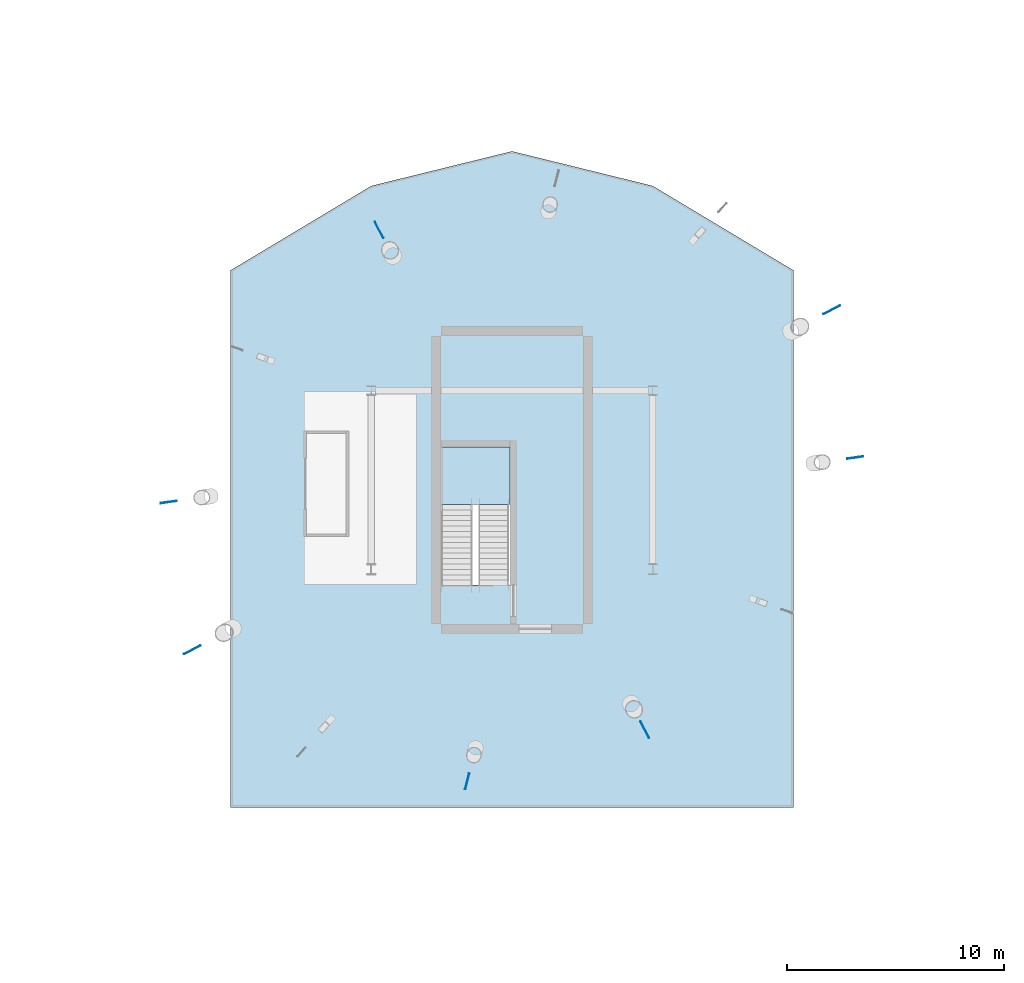
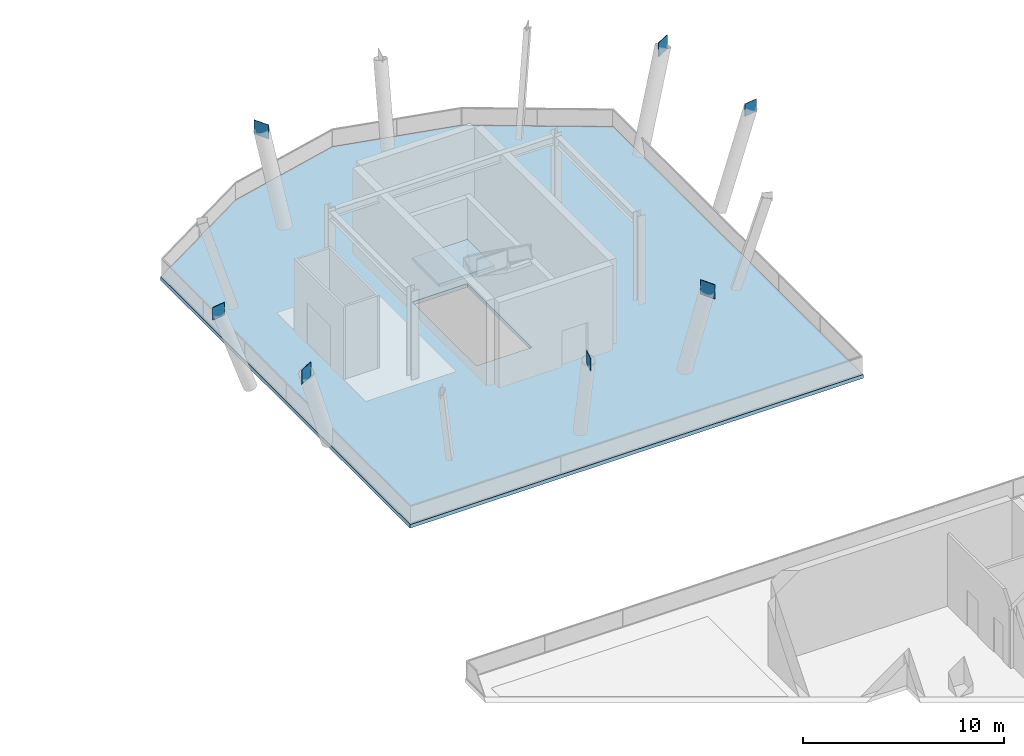
# One storey, part 80 of 117: 7 plates, 2 slabs, 1 element without a shape of its own.
"""IFC4 building model written with IfcOpenShell, lengths in metres."""

import ifcopenshell
import ifcopenshell.guid

model = None  # the IFC model being written
_history = None  # IfcOwnerHistory: only IFC2X3 demands one
_inside = {}  # id of a spatial element -> (the spatial element, [elements in it])
_under = {}  # id of a project, library or spatial element -> (it, [spatial elements below it])
_declared = {}  # id of a project -> (the project, [libraries it declares])
_typed = {}  # id of a type object -> (the type object, [elements of that type])
_made_of = {}  # id of a material, layer set ... -> (it, [elements and type objects made of it])


def new_model(schema):
    """Start an empty IFC model of exactly this schema.

    Asked for "IFC4X3", IfcOpenShell would pick the latest addendum, in which some entities
    have other attributes; the version numbers below select the first issue.
    IFC2X3 requires an IfcOwnerHistory on every rooted entity: one is made here for all.
    """
    global model, _history
    if schema == "IFC4X3":
        model = ifcopenshell.file(schema_version=(4, 3, 0, 0))
    else:
        model = ifcopenshell.file(schema=schema)
    _inside.clear()
    _under.clear()
    _declared.clear()
    _typed.clear()
    _made_of.clear()
    _history = None
    if model.schema == "IFC2X3":
        org = make("IfcOrganization", Name="unknown")
        user = make(
            "IfcPersonAndOrganization",
            ThePerson=make("IfcPerson", FamilyName="unknown"),
            TheOrganization=org,
        )
        app = make(
            "IfcApplication",
            ApplicationDeveloper=org,
            Version="unknown",
            ApplicationFullName="unknown",
            ApplicationIdentifier="unknown",
        )
        _history = make(
            "IfcOwnerHistory",
            OwningUser=user,
            OwningApplication=app,
            ChangeAction="ADDED",
            CreationDate=0,
        )
    return model


def make(cls, **values):
    """One entity of the class cls with the attributes given. An attribute that is None is left unset."""
    return model.create_entity(
        cls, **{name: value for name, value in values.items() if value is not None}
    )


def rooted(cls, **values):
    """An entity with a GlobalId (a new one), such as an element, a storey or a relation."""
    return make(cls, GlobalId=ifcopenshell.guid.new(), OwnerHistory=_history, **values)


def si_unit(unit_type, name, prefix=None):
    """IfcSIUnit, for example si_unit("LENGTHUNIT", "METRE", prefix="MILLI")."""
    return make("IfcSIUnit", UnitType=unit_type, Prefix=prefix, Name=name)


def assignment(units):
    """IfcUnitAssignment: the units of a project."""
    return None if units is None else make("IfcUnitAssignment", Units=units)


def point(xyz):
    """IfcCartesianPoint."""
    return None if xyz is None else make("IfcCartesianPoint", Coordinates=xyz)


def direction(xyz):
    """IfcDirection."""
    return None if xyz is None else make("IfcDirection", DirectionRatios=xyz)


def frame(location, z_axis=None, x_axis=None):
    """IfcAxis2Placement3D, a coordinate frame: its origin and axes. An axis left out is left unset."""
    return make(
        "IfcAxis2Placement3D",
        Location=point(location),
        Axis=direction(z_axis),
        RefDirection=direction(x_axis),
    )


def frame_2d(location, x_axis=None):
    """IfcAxis2Placement2D, a coordinate frame in the plane: its origin and x axis."""
    return make(
        "IfcAxis2Placement2D", Location=point(location), RefDirection=direction(x_axis)
    )


def origin():
    """The frame at (0, 0, 0) with its axes left unset."""
    return frame((0.0, 0.0, 0.0))


def origin_2d():
    """The frame at (0, 0) in the plane with its x axis left unset."""
    return frame_2d((0.0, 0.0))


def place(relative_to, where):
    """IfcLocalPlacement: puts the frame where relative to a parent placement (None: the world)."""
    return make(
        "IfcLocalPlacement", PlacementRelTo=relative_to, RelativePlacement=where
    )


def context(
    kind, dimensions, precision=None, world=None, true_north=None, identifier=None
):
    """IfcGeometricRepresentationContext, for example the 3D "Model" context."""
    return make(
        "IfcGeometricRepresentationContext",
        ContextIdentifier=identifier,
        ContextType=kind,
        CoordinateSpaceDimension=dimensions,
        Precision=precision,
        WorldCoordinateSystem=world,
        TrueNorth=true_north,
    )


def subcontext(parent, identifier, kind, view, scale=None):
    """IfcGeometricRepresentationSubContext, for example "Body" below "Model"."""
    return make(
        "IfcGeometricRepresentationSubContext",
        ContextIdentifier=identifier,
        ContextType=kind,
        ParentContext=parent,
        TargetScale=scale,
        TargetView=view,
    )


def project(units=None, contexts=None):
    """IfcProject with its units and contexts."""
    return rooted(
        "IfcProject",
        Name="project",
        RepresentationContexts=contexts,
        UnitsInContext=assignment(units),
    )


def spatial(cls, under=None, at=None, **own):
    """A site, building, storey or space (cls), placed at a placement, below another one or the project."""
    s = rooted(cls, ObjectPlacement=at, **own)
    if under is not None:
        _under.setdefault(under.id(), (under, []))[1].append(s)
    return s


def polyline(points):
    """IfcPolyline through the points."""
    return make("IfcPolyline", Points=[point(p) for p in points])


def profile(cls, at=None, kind="AREA", **sizes):
    """A parametric profile (cls). Its sizes go by their IFC names, for example OverallWidth=200.0."""
    return make(cls, ProfileType=kind, Position=at, **sizes)


def rectangle(**sizes):
    """IfcRectangleProfileDef."""
    return profile("IfcRectangleProfileDef", **sizes)


def outline(outer, holes=None, kind="AREA"):
    """IfcArbitraryClosedProfileDef: a profile drawn as a closed curve; with holes, ...WithVoids."""
    if holes is None:
        return make("IfcArbitraryClosedProfileDef", ProfileType=kind, OuterCurve=outer)
    return make(
        "IfcArbitraryProfileDefWithVoids",
        ProfileType=kind,
        OuterCurve=outer,
        InnerCurves=holes,
    )


def extrude(swept, where, along, depth):
    """IfcExtrudedAreaSolid: the profile swept, set in the frame where, extruded along a direction by depth."""
    return make(
        "IfcExtrudedAreaSolid",
        SweptArea=swept,
        Position=where,
        ExtrudedDirection=direction(along),
        Depth=depth,
    )


def shape(context_of_items, identifier, shape_type, items):
    """IfcShapeRepresentation: the items that make up one representation, for example the "Body"."""
    return make(
        "IfcShapeRepresentation",
        ContextOfItems=context_of_items,
        RepresentationIdentifier=identifier,
        RepresentationType=shape_type,
        Items=items,
    )


def material(Name=None, Category=None):
    """IfcMaterial."""
    return make("IfcMaterial", Name=Name, Category=Category)


def layer(
    of_material, thickness, ventilated=None, Name=None, Category=None, Priority=None
):
    """IfcMaterialLayer: one layer of a wall or slab, of a material (None: an air gap)."""
    return make(
        "IfcMaterialLayer",
        Material=of_material,
        LayerThickness=thickness,
        IsVentilated=ventilated,
        Name=Name,
        Category=Category,
        Priority=Priority,
    )


def layer_set(layers, Name=None):
    """IfcMaterialLayerSet."""
    return make("IfcMaterialLayerSet", MaterialLayers=layers, LayerSetName=Name)


def made_of(thing, what):
    """Note that an element or type object is made of a material, layer set ...; save() writes the relation."""
    if what is not None:
        _made_of.setdefault(what.id(), (what, []))[1].append(thing)
    return thing


def type_object(cls, material=None, **own):
    """A type object (cls), such as IfcWallType, which elements share."""
    return made_of(rooted(cls, **own), material)


def element(
    cls,
    number,
    at=None,
    inside=None,
    cuts=None,
    type_object=None,
    material=None,
    context=None,
    identifier="Body",
    shape_type=None,
    held_by="IfcProductDefinitionShape",
    body=None,
    shapes=None,
    **own,
):
    """One element of the class cls, such as IfcWall. Its Tag is "e" and its number.

    at: its placement. inside: the storey or other place that contains it. cuts: it is an
    opening in that element (IfcRelVoidsElement). A single representation is given by context,
    identifier, shape_type and body (its items); several are given by shapes. held_by: the class
    of the entity that holds the representations. save() writes the other relations.
    """
    e = rooted(cls, Tag="e%d" % number, ObjectPlacement=at, **own)
    if body is not None:
        shapes = [shape(context, identifier, shape_type, body)]
    if shapes is not None:
        e.Representation = make(held_by, Representations=shapes)
    if inside is not None:
        _inside.setdefault(inside.id(), (inside, []))[1].append(e)
    if cuts is not None:
        rooted(
            "IfcRelVoidsElement", RelatingBuildingElement=cuts, RelatedOpeningElement=e
        )
    if type_object is not None:
        _typed.setdefault(type_object.id(), (type_object, []))[1].append(e)
    return made_of(e, material)


def aggregate(whole, parts):
    """IfcRelAggregates: a whole, such as a stair, and the parts it consists of."""
    return rooted("IfcRelAggregates", RelatingObject=whole, RelatedObjects=parts)


def save(model, path):
    """Write the relations noted so far, then the file.

    IfcRelAggregates (storeys below a building ...), IfcRelContainedInSpatialStructure (elements
    in a storey), IfcRelDefinesByType, IfcRelAssociatesMaterial and IfcRelDeclares: one each for
    every whole, place, type object, material and project.
    """
    for whole, parts in _under.values():
        aggregate(whole, parts)
    for where, things in _inside.values():
        rooted(
            "IfcRelContainedInSpatialStructure",
            RelatedElements=things,
            RelatingStructure=where,
        )
    for kind, things in _typed.values():
        rooted("IfcRelDefinesByType", RelatedObjects=things, RelatingType=kind)
    for what, things in _made_of.values():
        rooted("IfcRelAssociatesMaterial", RelatedObjects=things, RelatingMaterial=what)
    for by, libraries in _declared.values():
        rooted("IfcRelDeclares", RelatingContext=by, RelatedDefinitions=libraries)
    model.write(path)


model = new_model("IFC4")

# Units and contexts
model_context = context("Model", 3, precision=1e-05, world=origin(), true_north=direction((0.0, 1.0)))
body_context = subcontext(model_context, "Body", "Model", "MODEL_VIEW")
ifc_project = project(units=[si_unit("LENGTHUNIT", "METRE"), si_unit("AREAUNIT", "SQUARE_METRE"), si_unit("VOLUMEUNIT", "CUBIC_METRE"), si_unit("PLANEANGLEUNIT", "RADIAN"), si_unit("MASSUNIT", "GRAM", prefix="KILO")], contexts=[model_context])

# Site, building, storey
site_placement = place(None, origin())
site = spatial("IfcSite", under=ifc_project, at=site_placement, CompositionType="ELEMENT")
building_placement = place(site_placement, origin())
building = spatial("IfcBuilding", under=site, at=building_placement, Name="Linyun Crest Stadium", CompositionType="ELEMENT")
storey_placement = place(building_placement, frame((0.0, 0.0, 6.0)))
storey = spatial("IfcBuildingStorey", under=building, at=storey_placement, Name="L02", CompositionType="ELEMENT", Elevation=6.0)

# Plates
ifc_material_1 = material(Name="Steel Q420C", Category="steel")
ifc_layer_1 = layer(ifc_material_1, 0.028076171875)
ifc_layer_set_1 = layer_set([ifc_layer_1], Name="Steel Q420C")
plate_type = type_object("IfcPlateType", Name="EP03", PredefinedType="USERDEFINED", material=ifc_layer_set_1)
for number, where, z_axis, x_axis, name in (
    (1, (88.264892578125, 92.47509765625, 4.971435546875), (0.0, 0.0, 1.0), (0.883111415554, 0.469163327338, 0.0), "Hollow section cap end plate EP03 401"),
    (2, (67.364013671875, 96.166015625, 4.971435546875), (0.0, 0.0, 1.0), (-0.469471562786, 0.882947592859, 0.0), "Hollow section cap end plate EP03 416"),
):
    element("IfcPlate", number, at=place(storey_placement, frame(where, z_axis=z_axis, x_axis=x_axis)), inside=storey, type_object=plate_type, Name=name, ObjectType="END PLATE", PredefinedType="USERDEFINED", context=body_context, shape_type="SweptSolid", body=[
        extrude(rectangle(XDim=0.85302734375, YDim=0.028076171875, at=origin_2d()), origin(), (0.0, 0.0, 1.0), 0.85302734375),
    ])
plate_1_placement = place(storey_placement, frame((57.64599609375, 83.596923828125, 5.0224609375), z_axis=(0.0, 0.0, 1.0), x_axis=(-0.990605176244, -0.136753006543, 0.0)))
element("IfcPlate", 3, at=plate_1_placement, inside=storey, type_object=plate_type, Name="Hollow section cap end plate EP03 426", ObjectType="END PLATE", PredefinedType="USERDEFINED", context=body_context, shape_type="SweptSolid", body=[
    extrude(rectangle(XDim=0.7509765625, YDim=0.028076171875, at=origin_2d()), origin(), (0.0, 0.0, 1.0), 0.7509765625),
])
plate_2_placement = place(storey_placement, frame((58.735107421875, 76.77490234375, 4.971435546875), z_axis=(0.0, 0.0, 1.0), x_axis=(-0.883111415554, -0.469163327338, 0.0)))
element("IfcPlate", 4, at=plate_2_placement, inside=storey, type_object=plate_type, Name="Hollow section cap end plate EP03 431", ObjectType="END PLATE", PredefinedType="USERDEFINED", context=body_context, shape_type="SweptSolid", body=[
    extrude(rectangle(XDim=0.85302734375, YDim=0.028076171875, at=origin_2d()), origin(), (0.0, 0.0, 1.0), 0.85302734375),
])
plate_3_placement = place(storey_placement, frame((71.431884765625, 70.705078125, 5.0224609375), z_axis=(0.0, 0.0, 1.0), x_axis=(-0.246322451985, -0.96918793309, 0.0)))
element("IfcPlate", 5, at=plate_3_placement, inside=storey, type_object=plate_type, Name="Hollow section cap end plate EP03 441", ObjectType="END PLATE", PredefinedType="USERDEFINED", context=body_context, shape_type="SweptSolid", body=[
    extrude(rectangle(XDim=0.7509765625, YDim=0.028076171875, at=origin_2d()), origin(), (0.0, 0.0, 1.0), 0.7509765625),
])
plate_4_placement = place(storey_placement, frame((79.635986328125, 73.083984375, 4.971435546875), z_axis=(0.0, 0.0, 1.0), x_axis=(0.469471562786, -0.882947592859, 0.0)))
element("IfcPlate", 6, at=plate_4_placement, inside=storey, type_object=plate_type, Name="Hollow section cap end plate EP03 446", ObjectType="END PLATE", PredefinedType="USERDEFINED", context=body_context, shape_type="SweptSolid", body=[
    extrude(rectangle(XDim=0.85302734375, YDim=0.028076171875, at=origin_2d()), origin(), (0.0, 0.0, 1.0), 0.85302734375),
])
plate_5_placement = place(storey_placement, frame((89.35400390625, 85.653076171875, 5.0224609375), z_axis=(0.0, 0.0, 1.0), x_axis=(0.990605176244, 0.136753006543, 0.0)))
element("IfcPlate", 7, at=plate_5_placement, inside=storey, type_object=plate_type, Name="Hollow section cap end plate EP03 456", ObjectType="END PLATE", PredefinedType="USERDEFINED", context=body_context, shape_type="SweptSolid", body=[
    extrude(rectangle(XDim=0.7509765625, YDim=0.028076171875, at=origin_2d()), origin(), (0.0, 0.0, 1.0), 0.7509765625),
])

# Slab
ifc_material_2 = material(Name="Concrete C40", Category="concrete")
ifc_layer_2 = layer(ifc_material_2, 0.219970703125)
ifc_layer_set_2 = layer_set([ifc_layer_2], Name="Concrete C40")
slab_type_1 = type_object("IfcSlabType", Name="FS03", PredefinedType="FLOOR", material=ifc_layer_set_2)
slab_1_placement = place(storey_placement, frame((0.0, 0.0, -0.219970703125)))
element("IfcSlab", 8, at=slab_1_placement, inside=storey, type_object=slab_type_1, Name="Slab FS03 V5 L02 56", PredefinedType="FLOOR", context=body_context, shape_type="SweptSolid", body=[
    extrude(outline(polyline([(60.5, 69.5), (86.5, 69.5), (86.5, 94.300048828125), (80.0, 98.199951171875), (73.5, 99.800048828125), (67.0, 98.199951171875), (60.5, 94.300048828125), (60.5, 69.5)]), holes=[polyline([(70.22509765625, 79.77001953125), (70.22509765625, 86.14990234375), (73.39990234375, 86.14990234375), (73.39990234375, 79.77001953125), (70.22509765625, 79.77001953125)])]), origin(), (0.0, 0.0, 1.0), 0.219970703125),
])

# Stair, slab
ifc_material_3 = material(Name="Concrete C40", Category="concrete")
stair_type = type_object("IfcStairType", Name="STA02", PredefinedType="HALF_TURN_STAIR", material=ifc_material_3)
stair_placement = place(storey_placement, origin())
stair = element("IfcStair", 9, at=stair_placement, inside=storey, type_object=stair_type, Name="Evacuation stair STR-12-L02", PredefinedType="HALF_TURN_STAIR")
ifc_material_4 = material(Name="Concrete C40", Category="concrete")
ifc_layer_3 = layer(ifc_material_4, 0.179931640625)
ifc_layer_set_3 = layer_set([ifc_layer_3], Name="Concrete C40")
slab_type_2 = type_object("IfcSlabType", Name="LS01", PredefinedType="LANDING", material=ifc_layer_set_3)
slab_2_placement = place(storey_placement, frame((0.0, 0.0, 2.52001953125)))
slab_2 = element("IfcSlab", 10, at=slab_2_placement, type_object=slab_type_2, Name="STR-12-L02 half-landing", PredefinedType="LANDING", context=body_context, shape_type="SweptSolid", body=[
    extrude(outline(polyline([(70.22509765625, 83.489990234375), (73.39990234375, 83.489990234375), (73.39990234375, 86.14990234375), (70.22509765625, 86.14990234375), (70.22509765625, 83.489990234375)])), origin(), (0.0, 0.0, 1.0), 0.179931640625),
])
aggregate(stair, [slab_2])

save(model, "model.ifc")
